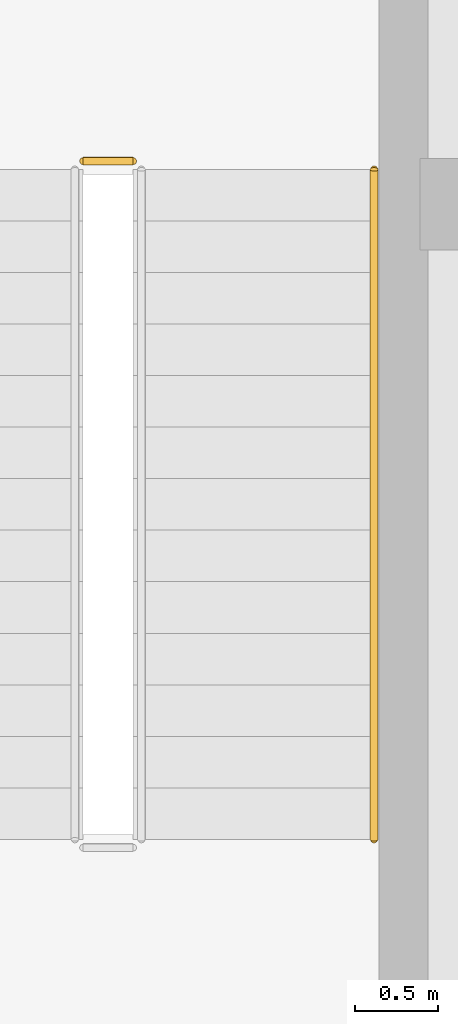
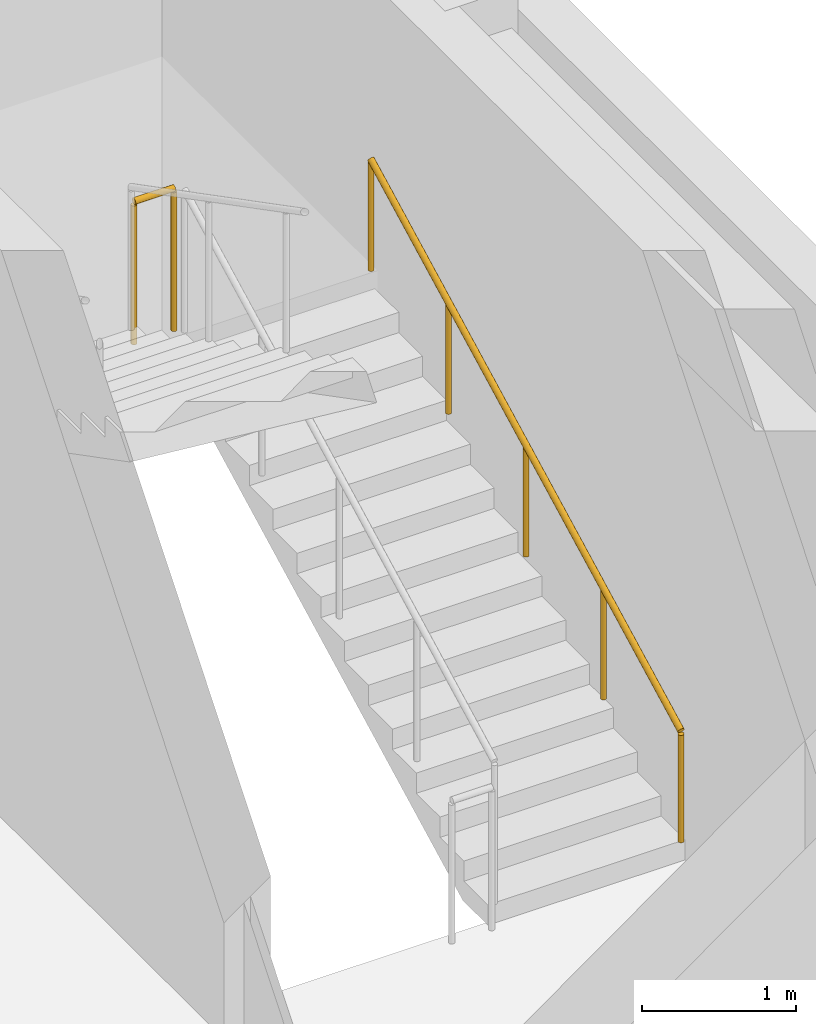
# One storey, part 33 of 33: 2 railings.
"""IFC4 building model written with IfcOpenShell, lengths in metres."""

import ifcopenshell
import ifcopenshell.guid

model = None  # the IFC model being written
_history = None  # IfcOwnerHistory: only IFC2X3 demands one
_inside = {}  # id of a spatial element -> (the spatial element, [elements in it])
_under = {}  # id of a project, library or spatial element -> (it, [spatial elements below it])
_declared = {}  # id of a project -> (the project, [libraries it declares])
_typed = {}  # id of a type object -> (the type object, [elements of that type])
_made_of = {}  # id of a material, layer set ... -> (it, [elements and type objects made of it])


def new_model(schema):
    """Start an empty IFC model of exactly this schema.

    Asked for "IFC4X3", IfcOpenShell would pick the latest addendum, in which some entities
    have other attributes; the version numbers below select the first issue.
    IFC2X3 requires an IfcOwnerHistory on every rooted entity: one is made here for all.
    """
    global model, _history
    if schema == "IFC4X3":
        model = ifcopenshell.file(schema_version=(4, 3, 0, 0))
    else:
        model = ifcopenshell.file(schema=schema)
    _inside.clear()
    _under.clear()
    _declared.clear()
    _typed.clear()
    _made_of.clear()
    _history = None
    if model.schema == "IFC2X3":
        org = make("IfcOrganization", Name="unknown")
        user = make(
            "IfcPersonAndOrganization",
            ThePerson=make("IfcPerson", FamilyName="unknown"),
            TheOrganization=org,
        )
        app = make(
            "IfcApplication",
            ApplicationDeveloper=org,
            Version="unknown",
            ApplicationFullName="unknown",
            ApplicationIdentifier="unknown",
        )
        _history = make(
            "IfcOwnerHistory",
            OwningUser=user,
            OwningApplication=app,
            ChangeAction="ADDED",
            CreationDate=0,
        )
    return model


def make(cls, **values):
    """One entity of the class cls with the attributes given. An attribute that is None is left unset."""
    return model.create_entity(
        cls, **{name: value for name, value in values.items() if value is not None}
    )


def rooted(cls, **values):
    """An entity with a GlobalId (a new one), such as an element, a storey or a relation."""
    return make(cls, GlobalId=ifcopenshell.guid.new(), OwnerHistory=_history, **values)


def si_unit(unit_type, name, prefix=None):
    """IfcSIUnit, for example si_unit("LENGTHUNIT", "METRE", prefix="MILLI")."""
    return make("IfcSIUnit", UnitType=unit_type, Prefix=prefix, Name=name)


def assignment(units):
    """IfcUnitAssignment: the units of a project."""
    return None if units is None else make("IfcUnitAssignment", Units=units)


def point(xyz):
    """IfcCartesianPoint."""
    return None if xyz is None else make("IfcCartesianPoint", Coordinates=xyz)


def direction(xyz):
    """IfcDirection."""
    return None if xyz is None else make("IfcDirection", DirectionRatios=xyz)


def frame(location, z_axis=None, x_axis=None):
    """IfcAxis2Placement3D, a coordinate frame: its origin and axes. An axis left out is left unset."""
    return make(
        "IfcAxis2Placement3D",
        Location=point(location),
        Axis=direction(z_axis),
        RefDirection=direction(x_axis),
    )


def frame_2d(location, x_axis=None):
    """IfcAxis2Placement2D, a coordinate frame in the plane: its origin and x axis."""
    return make(
        "IfcAxis2Placement2D", Location=point(location), RefDirection=direction(x_axis)
    )


def origin():
    """The frame at (0, 0, 0) with its axes left unset."""
    return frame((0.0, 0.0, 0.0))


def origin_2d():
    """The frame at (0, 0) in the plane with its x axis left unset."""
    return frame_2d((0.0, 0.0))


def place(relative_to, where):
    """IfcLocalPlacement: puts the frame where relative to a parent placement (None: the world)."""
    return make(
        "IfcLocalPlacement", PlacementRelTo=relative_to, RelativePlacement=where
    )


def context(
    kind, dimensions, precision=None, world=None, true_north=None, identifier=None
):
    """IfcGeometricRepresentationContext, for example the 3D "Model" context."""
    return make(
        "IfcGeometricRepresentationContext",
        ContextIdentifier=identifier,
        ContextType=kind,
        CoordinateSpaceDimension=dimensions,
        Precision=precision,
        WorldCoordinateSystem=world,
        TrueNorth=true_north,
    )


def subcontext(parent, identifier, kind, view, scale=None):
    """IfcGeometricRepresentationSubContext, for example "Body" below "Model"."""
    return make(
        "IfcGeometricRepresentationSubContext",
        ContextIdentifier=identifier,
        ContextType=kind,
        ParentContext=parent,
        TargetScale=scale,
        TargetView=view,
    )


def project(units=None, contexts=None):
    """IfcProject with its units and contexts."""
    return rooted(
        "IfcProject",
        Name="project",
        RepresentationContexts=contexts,
        UnitsInContext=assignment(units),
    )


def spatial(cls, under=None, at=None, **own):
    """A site, building, storey or space (cls), placed at a placement, below another one or the project."""
    s = rooted(cls, ObjectPlacement=at, **own)
    if under is not None:
        _under.setdefault(under.id(), (under, []))[1].append(s)
    return s


def profile(cls, at=None, kind="AREA", **sizes):
    """A parametric profile (cls). Its sizes go by their IFC names, for example OverallWidth=200.0."""
    return make(cls, ProfileType=kind, Position=at, **sizes)


def circle(**sizes):
    """IfcCircleProfileDef."""
    return profile("IfcCircleProfileDef", **sizes)


def extrude(swept, where, along, depth):
    """IfcExtrudedAreaSolid: the profile swept, set in the frame where, extruded along a direction by depth."""
    return make(
        "IfcExtrudedAreaSolid",
        SweptArea=swept,
        Position=where,
        ExtrudedDirection=direction(along),
        Depth=depth,
    )


def shape(context_of_items, identifier, shape_type, items):
    """IfcShapeRepresentation: the items that make up one representation, for example the "Body"."""
    return make(
        "IfcShapeRepresentation",
        ContextOfItems=context_of_items,
        RepresentationIdentifier=identifier,
        RepresentationType=shape_type,
        Items=items,
    )


def material(Name=None, Category=None):
    """IfcMaterial."""
    return make("IfcMaterial", Name=Name, Category=Category)


def made_of(thing, what):
    """Note that an element or type object is made of a material, layer set ...; save() writes the relation."""
    if what is not None:
        _made_of.setdefault(what.id(), (what, []))[1].append(thing)
    return thing


def type_object(cls, material=None, **own):
    """A type object (cls), such as IfcWallType, which elements share."""
    return made_of(rooted(cls, **own), material)


def element(
    cls,
    number,
    at=None,
    inside=None,
    cuts=None,
    type_object=None,
    material=None,
    context=None,
    identifier="Body",
    shape_type=None,
    held_by="IfcProductDefinitionShape",
    body=None,
    shapes=None,
    **own,
):
    """One element of the class cls, such as IfcWall. Its Tag is "e" and its number.

    at: its placement. inside: the storey or other place that contains it. cuts: it is an
    opening in that element (IfcRelVoidsElement). A single representation is given by context,
    identifier, shape_type and body (its items); several are given by shapes. held_by: the class
    of the entity that holds the representations. save() writes the other relations.
    """
    e = rooted(cls, Tag="e%d" % number, ObjectPlacement=at, **own)
    if body is not None:
        shapes = [shape(context, identifier, shape_type, body)]
    if shapes is not None:
        e.Representation = make(held_by, Representations=shapes)
    if inside is not None:
        _inside.setdefault(inside.id(), (inside, []))[1].append(e)
    if cuts is not None:
        rooted(
            "IfcRelVoidsElement", RelatingBuildingElement=cuts, RelatedOpeningElement=e
        )
    if type_object is not None:
        _typed.setdefault(type_object.id(), (type_object, []))[1].append(e)
    return made_of(e, material)


def aggregate(whole, parts):
    """IfcRelAggregates: a whole, such as a stair, and the parts it consists of."""
    return rooted("IfcRelAggregates", RelatingObject=whole, RelatedObjects=parts)


def save(model, path):
    """Write the relations noted so far, then the file.

    IfcRelAggregates (storeys below a building ...), IfcRelContainedInSpatialStructure (elements
    in a storey), IfcRelDefinesByType, IfcRelAssociatesMaterial and IfcRelDeclares: one each for
    every whole, place, type object, material and project.
    """
    for whole, parts in _under.values():
        aggregate(whole, parts)
    for where, things in _inside.values():
        rooted(
            "IfcRelContainedInSpatialStructure",
            RelatedElements=things,
            RelatingStructure=where,
        )
    for kind, things in _typed.values():
        rooted("IfcRelDefinesByType", RelatedObjects=things, RelatingType=kind)
    for what, things in _made_of.values():
        rooted("IfcRelAssociatesMaterial", RelatedObjects=things, RelatingMaterial=what)
    for by, libraries in _declared.values():
        rooted("IfcRelDeclares", RelatingContext=by, RelatedDefinitions=libraries)
    model.write(path)


model = new_model("IFC4")

# Units and contexts
model_context = context("Model", 3, precision=1e-05, world=origin(), true_north=direction((0.0, 1.0)))
body_context = subcontext(model_context, "Body", "Model", "MODEL_VIEW")
ifc_project = project(units=[si_unit("LENGTHUNIT", "METRE"), si_unit("AREAUNIT", "SQUARE_METRE"), si_unit("VOLUMEUNIT", "CUBIC_METRE"), si_unit("PLANEANGLEUNIT", "RADIAN"), si_unit("MASSUNIT", "GRAM", prefix="KILO")], contexts=[model_context])

# Site, building, storey
site_placement = place(None, origin())
site = spatial("IfcSite", under=ifc_project, at=site_placement, CompositionType="ELEMENT")
building_placement = place(site_placement, origin())
building = spatial("IfcBuilding", under=site, at=building_placement, Name="Khoralis Quay Care Tower", CompositionType="ELEMENT")
storey_placement = place(building_placement, frame((0.0, 0.0, 18.0)))
storey = spatial("IfcBuildingStorey", under=building, at=storey_placement, Name="L04", CompositionType="ELEMENT", Elevation=18.0)

# Railings
ifc_material = material(Name="Brushed stainless steel", Category="steel")
railing_type_1 = type_object("IfcRailingType", Name="RL-GUARD-1150", PredefinedType="GUARDRAIL", material=ifc_material)
railing_1_placement = place(storey_placement, frame((105.300048828125, 36.260009765625, 2.25)))
element("IfcRailing", 1, at=railing_1_placement, inside=storey, type_object=railing_type_1, Name="L04 ST-S2 stair guard 2", PredefinedType="GUARDRAIL", context=body_context, shape_type="SweptSolid", body=[
    extrude(circle(Radius=0.02392578125, at=origin_2d()), frame((0.0, 0.0, 1.1259765625), z_axis=(-1.0, 0.0, 0.0), x_axis=(0.0, -1.0, 0.0)), (0.0, 0.0, 1.0), 0.300048828125),
    extrude(circle(Radius=0.02099609375, at=origin_2d()), origin(), (0.0, 0.0, 1.0), 1.101806640625),
    extrude(circle(Radius=0.02099609375, at=origin_2d()), frame((-0.300048828125, 0.0, 0.0)), (0.0, 0.0, 1.0), 1.101806640625),
])
railing_type_2 = type_object("IfcRailingType", Name="RL-HAND-900", PredefinedType="HANDRAIL", material=ifc_material)
railing_2_placement = place(storey_placement, frame((106.75, 32.179931640625, 0.16064453125)))
element("IfcRailing", 2, at=railing_2_placement, inside=storey, type_object=railing_type_2, Name="L04 ST-S2 stair handrail 1", PredefinedType="HANDRAIL", context=body_context, shape_type="SweptSolid", body=[
    extrude(circle(Radius=0.02392578125, at=origin_2d()), frame((0.0, 0.0, 0.8759765625), z_axis=(0.0, 0.887780577991, 0.46026692836), x_axis=(-1.0, 0.0, 0.0)), (0.0, 0.0, 1.0), 4.53955078125),
    extrude(circle(Radius=0.02099609375, at=origin_2d()), origin(), (0.0, 0.0, 1.0), 0.851806640625),
    extrude(circle(Radius=0.02099609375, at=origin_2d()), frame((0.0, 1.007568359375, 0.5224609375)), (0.0, 0.0, 1.0), 0.851806640625),
    extrude(circle(Radius=0.02099609375, at=origin_2d()), frame((0.0, 2.01513671875, 1.044677734375)), (0.0, 0.0, 1.0), 0.851806640625),
    extrude(circle(Radius=0.02099609375, at=origin_2d()), frame((0.0, 3.0224609375, 1.56689453125)), (0.0, 0.0, 1.0), 0.851806640625),
    extrude(circle(Radius=0.02099609375, at=origin_2d()), frame((0.0, 4.030029296875, 2.08935546875)), (0.0, 0.0, 1.0), 0.851806640625),
])

save(model, "model.ifc")
